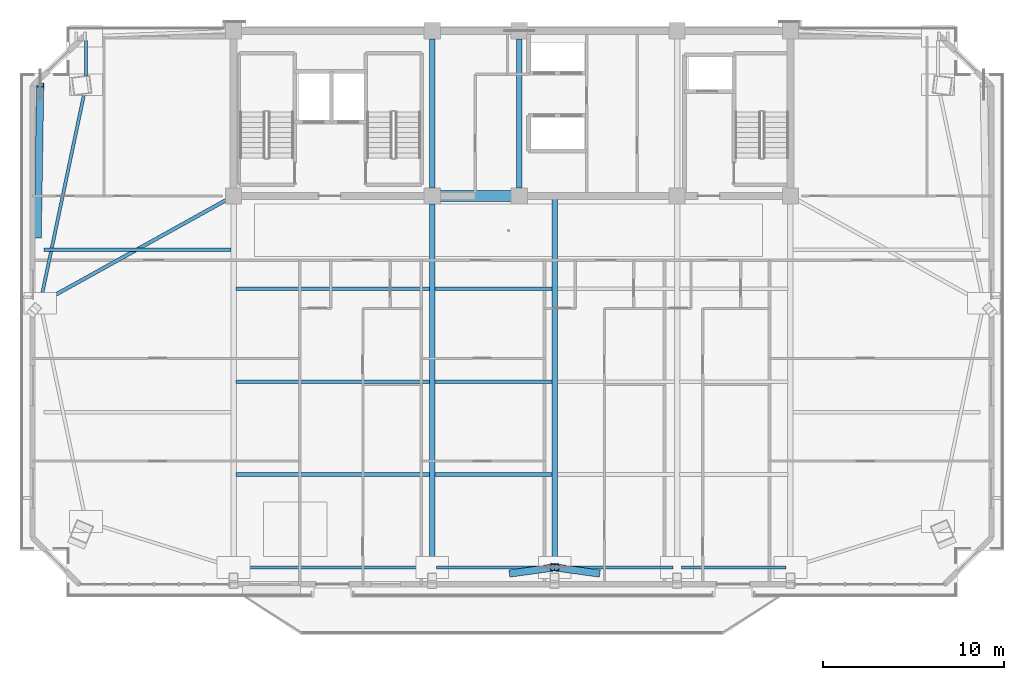
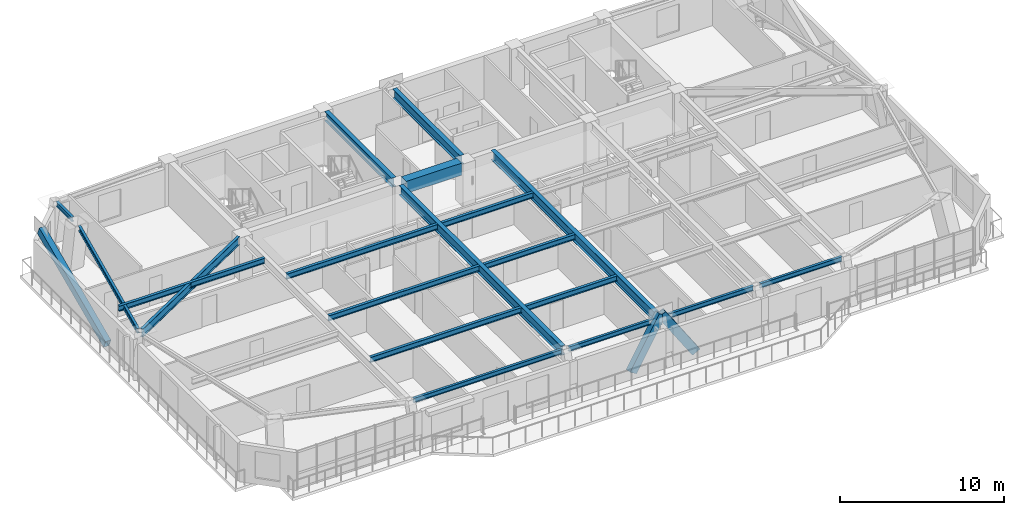
# One storey, part 3 of 18: 19 beams, 3 members.
"""IFC4 building model written with IfcOpenShell, lengths in metres."""

from ifc_helpers import new_model, si_unit, direction, frame, origin, origin_2d, place, context, subcontext, project, spatial, rectangle, hollow_rectangle, i_section, extrude, source, transform, mapped, material, material_profile, profile_set, type_object, element, save


model = new_model("IFC4")

# Units and contexts
model_context = context("Model", 3, precision=1e-05, world=origin(), true_north=direction((0.0, 1.0)))
body_context = subcontext(model_context, "Body", "Model", "MODEL_VIEW")
ifc_project = project(units=[si_unit("LENGTHUNIT", "METRE"), si_unit("AREAUNIT", "SQUARE_METRE"), si_unit("VOLUMEUNIT", "CUBIC_METRE"), si_unit("PLANEANGLEUNIT", "RADIAN"), si_unit("MASSUNIT", "GRAM", prefix="KILO")], contexts=[model_context])

# Site, building, storey
site_placement = place(None, origin())
site = spatial("IfcSite", under=ifc_project, at=site_placement, CompositionType="ELEMENT")
building_placement = place(site_placement, origin())
building = spatial("IfcBuilding", under=site, at=building_placement, Name="Giltprow Tower", CompositionType="ELEMENT")
storey_placement = place(building_placement, frame((0.0, 0.0, 265.5)))
storey = spatial("IfcBuildingStorey", under=building, at=storey_placement, Name="L68", CompositionType="ELEMENT", Elevation=265.5)

# Beams
ifc_material_1 = material(Name="Structural steel Q355B", Category="steel")
ifc_material_profile_1 = material_profile(ifc_material_1, i_section(OverallWidth=0.199951171875, OverallDepth=0.39990234375, WebThickness=0.008056640625, FlangeThickness=0.012939453125, at=origin_2d()), Name="HN 400x200x8x13")
ifc_profile_set_1 = profile_set([ifc_material_profile_1], Name="Structural steel Q355B")
beam_type_1 = type_object("IfcBeamType", Name="BM-JOIST-HN400", PredefinedType="JOIST", material=ifc_profile_set_1)
shared_shape_1 = source(origin(), body_context, "Body", "SweptSolid", [
    extrude(i_section(OverallWidth=0.199951171875, OverallDepth=0.39990234375, WebThickness=0.008056640625, FlangeThickness=0.012939453125, at=origin_2d()), origin(), (0.0, 0.0, 1.0), 10.659912109375),
])
for number, where, z_axis, x_axis, name in (
    (1, (19.9951171875, 22.094970703125, 2.985107421875), (1.0, 0.0, 0.0), (0.0, 1.0, 0.0), "L68 Composite Floor Joist 1-1"),
    (2, (19.9951171875, 27.212890625, 2.985107421875), (1.0, 0.0, 0.0), (0.0, 1.0, 0.0), "L68 Composite Floor Joist 2-1"),
    (3, (19.9951171875, 32.33203125, 2.985107421875), (1.0, 0.0, 0.0), (0.0, 1.0, 0.0), "L68 Composite Floor Joist 3-1"),
):
    element("IfcBeam", number, at=place(storey_placement, frame(where, z_axis=z_axis, x_axis=x_axis)), inside=storey, type_object=beam_type_1, Name=name, PredefinedType="JOIST", context=body_context, shape_type="MappedRepresentation", body=[
        mapped(shared_shape_1, transform((0.0, 0.0, 0.0), x_axis=(1.0, 0.0, 0.0), y_axis=(0.0, 1.0, 0.0), z_axis=(0.0, 0.0, 1.0), scale=1.0)),
    ])
shared_shape_2 = source(origin(), body_context, "Body", "SweptSolid", [
    extrude(i_section(OverallWidth=0.199951171875, OverallDepth=0.39990234375, WebThickness=0.008056640625, FlangeThickness=0.012939453125, at=origin_2d()), origin(), (0.0, 0.0, 1.0), 6.4599609375),
])
for number, where, z_axis, x_axis, name in (
    (4, (30.945068359375, 22.094970703125, 2.985107421875), (1.0, 0.0, 0.0), (0.0, 1.0, 0.0), "L68 Composite Floor Joist 1-2"),
    (5, (30.945068359375, 27.212890625, 2.985107421875), (1.0, 0.0, 0.0), (0.0, 1.0, 0.0), "L68 Composite Floor Joist 2-2"),
    (6, (30.945068359375, 32.33203125, 2.985107421875), (1.0, 0.0, 0.0), (0.0, 1.0, 0.0), "L68 Composite Floor Joist 3-2"),
):
    element("IfcBeam", number, at=place(storey_placement, frame(where, z_axis=z_axis, x_axis=x_axis)), inside=storey, type_object=beam_type_1, Name=name, PredefinedType="JOIST", context=body_context, shape_type="MappedRepresentation", body=[
        mapped(shared_shape_2, transform((0.0, 0.0, 0.0), x_axis=(1.0, 0.0, 0.0), y_axis=(0.0, 1.0, 0.0), z_axis=(0.0, 0.0, 1.0), scale=1.0)),
    ])
ifc_material_profile_2 = material_profile(ifc_material_1, i_section(OverallWidth=0.175048828125, OverallDepth=0.35009765625, WebThickness=0.007080078125, FlangeThickness=0.010986328125, at=origin_2d()), Name="HN 350x175x7x11")
ifc_profile_set_2 = profile_set([ifc_material_profile_2], Name="Structural steel Q355B")
beam_type_2 = type_object("IfcBeamType", Name="BM-SPAN-HN350", PredefinedType="SPANDREL", material=ifc_profile_set_2)
shared_shape_3 = source(origin(), body_context, "Body", "SweptSolid", [
    extrude(i_section(OverallWidth=0.175048828125, OverallDepth=0.35009765625, WebThickness=0.007080078125, FlangeThickness=0.010986328125, at=origin_2d()), origin(), (0.0, 0.0, 1.0), 10.47998046875),
])
beam_1_placement = place(storey_placement, frame((20.0849609375, 16.97607421875, 3.010009765625), z_axis=(1.0, 0.0, 0.0), x_axis=(0.0, 1.0, 0.0)))
element("IfcBeam", 7, at=beam_1_placement, inside=storey, type_object=beam_type_2, Name="L68 Perimeter Spandrel Beam S1-S2", PredefinedType="SPANDREL", context=body_context, shape_type="MappedRepresentation", body=[
    mapped(shared_shape_3, transform((0.0, 0.0, 0.0), x_axis=(1.0, 0.0, 0.0), y_axis=(0.0, 1.0, 0.0), z_axis=(0.0, 0.0, 1.0), scale=1.0)),
])
shared_shape_4 = source(origin(), body_context, "Body", "SweptSolid", [
    extrude(i_section(OverallWidth=0.175048828125, OverallDepth=0.35009765625, WebThickness=0.007080078125, FlangeThickness=0.010986328125, at=origin_2d()), origin(), (0.0, 0.0, 1.0), 6.280029296875),
])
for number, where, z_axis, x_axis, name in (
    (8, (31.034912109375, 16.97607421875, 3.010009765625), (1.0, 0.0, 0.0), (0.0, 1.0, 0.0), "L68 Perimeter Spandrel Beam S2-S_MID"),
    (9, (37.784912109375, 16.97607421875, 3.010009765625), (1.0, 0.0, 0.0), (0.0, 1.0, 0.0), "L68 Perimeter Spandrel Beam S_MID-S3"),
):
    element("IfcBeam", number, at=place(storey_placement, frame(where, z_axis=z_axis, x_axis=x_axis)), inside=storey, type_object=beam_type_2, Name=name, PredefinedType="SPANDREL", context=body_context, shape_type="MappedRepresentation", body=[
        mapped(shared_shape_4, transform((0.0, 0.0, 0.0), x_axis=(1.0, 0.0, 0.0), y_axis=(0.0, 1.0, 0.0), z_axis=(0.0, 0.0, 1.0), scale=1.0)),
    ])
shared_shape_5 = source(origin(), body_context, "Body", "SweptSolid", [
    extrude(i_section(OverallWidth=0.175048828125, OverallDepth=0.35009765625, WebThickness=0.007080078125, FlangeThickness=0.010986328125, at=origin_2d()), origin(), (0.0, 0.0, 1.0), 5.780029296875),
])
beam_2_placement = place(storey_placement, frame((44.534912109375, 16.97607421875, 3.010009765625), z_axis=(1.0, 0.0, 0.0), x_axis=(0.0, 1.0, 0.0)))
element("IfcBeam", 10, at=beam_2_placement, inside=storey, type_object=beam_type_2, Name="L68 Perimeter Spandrel Beam S3-S4", PredefinedType="SPANDREL", context=body_context, shape_type="MappedRepresentation", body=[
    mapped(shared_shape_5, transform((0.0, 0.0, 0.0), x_axis=(1.0, 0.0, 0.0), y_axis=(0.0, 1.0, 0.0), z_axis=(0.0, 0.0, 1.0), scale=1.0)),
])
ifc_material_2 = material(Name="Concrete C50", Category="concrete")
ifc_material_profile_3 = material_profile(ifc_material_2, rectangle(XDim=0.60009765625, YDim=0.89990234375, at=origin_2d()), Name="RC 900x600")
ifc_profile_set_3 = profile_set([ifc_material_profile_3], Name="Concrete C50")
beam_type_3 = type_object("IfcBeamType", Name="BM-CPL-RC900", PredefinedType="LINTEL", material=ifc_profile_set_3)
shared_shape_6 = source(origin(), body_context, "Body", "SweptSolid", [
    extrude(rectangle(XDim=0.60009765625, YDim=0.89990234375, at=origin_2d()), origin(), (0.0, 0.0, 1.0), 3.929931640625),
])
beam_3_placement = place(storey_placement, frame((31.235107421875, 37.449951171875, 2.735107421875), z_axis=(1.0, 0.0, 0.0), x_axis=(0.0, 1.0, 0.0)))
element("IfcBeam", 11, at=beam_3_placement, inside=storey, type_object=beam_type_3, Name="L68 Core Coupling Beam CB-1", PredefinedType="LINTEL", context=body_context, shape_type="MappedRepresentation", body=[
    mapped(shared_shape_6, transform((0.0, 0.0, 0.0), x_axis=(1.0, 0.0, 0.0), y_axis=(0.0, 1.0, 0.0), z_axis=(0.0, 0.0, 1.0), scale=1.0)),
])
ifc_material_profile_4 = material_profile(ifc_material_1, i_section(OverallWidth=0.300048828125, OverallDepth=0.699951171875, WebThickness=0.012939453125, FlangeThickness=0.02392578125, at=origin_2d()), Name="HN 700x300x13x24")
ifc_profile_set_4 = profile_set([ifc_material_profile_4], Name="Structural steel Q355B")
beam_type_4 = type_object("IfcBeamType", Name="BM-GIRD-HN700", PredefinedType="BEAM", material=ifc_profile_set_4)
shared_shape_7 = source(origin(), body_context, "Body", "SweptSolid", [
    extrude(i_section(OverallWidth=0.300048828125, OverallDepth=0.699951171875, WebThickness=0.012939453125, FlangeThickness=0.02392578125, at=origin_2d()), origin(), (0.0, 0.0, 1.0), 8.22998046875),
])
for number, where, z_axis, x_axis, name in (
    (12, (30.800048828125, 37.885009765625, 2.8349609375), (0.0, 1.0, 0.0), (-1.0, 0.0, 0.0), "L68 Core Tie Girder M1"),
    (13, (35.60009765625, 37.885009765625, 2.8349609375), (0.0, 1.0, 0.0), (-1.0, 0.0, 0.0), "L68 Core Tie Girder M2"),
):
    element("IfcBeam", number, at=place(storey_placement, frame(where, z_axis=z_axis, x_axis=x_axis)), inside=storey, type_object=beam_type_4, Name=name, PredefinedType="BEAM", context=body_context, shape_type="MappedRepresentation", body=[
        mapped(shared_shape_7, transform((0.0, 0.0, 0.0), x_axis=(1.0, 0.0, 0.0), y_axis=(0.0, 1.0, 0.0), z_axis=(0.0, 0.0, 1.0), scale=1.0)),
    ])
shared_shape_8 = source(origin(), body_context, "Body", "SweptSolid", [
    extrude(i_section(OverallWidth=0.175048828125, OverallDepth=0.35009765625, WebThickness=0.007080078125, FlangeThickness=0.010986328125, at=origin_2d()), origin(), (0.0, 0.0, 1.0), 11.580322265625),
])
beam_4_placement = place(storey_placement, frame((11.617919921875, 43.10205078125, 3.010009765625), z_axis=(-0.205173152284, -0.978725690672, 0.0), x_axis=(0.978725690672, -0.205173152284, 0.0)))
element("IfcBeam", 14, at=beam_4_placement, inside=storey, type_object=beam_type_2, Name="L68 Perimeter Spandrel Beam MC_NW-W_MID", PredefinedType="SPANDREL", context=body_context, shape_type="MappedRepresentation", body=[
    mapped(shared_shape_8, transform((0.0, 0.0, 0.0), x_axis=(1.0, 0.0, 0.0), y_axis=(0.0, 1.0, 0.0), z_axis=(0.0, 0.0, 1.0), scale=1.0)),
])
shared_shape_9 = source(origin(), body_context, "Body", "SweptSolid", [
    extrude(i_section(OverallWidth=0.175048828125, OverallDepth=0.35009765625, WebThickness=0.007080078125, FlangeThickness=0.010986328125, at=origin_2d()), origin(), (0.0, 0.0, 1.0), 1.952880859375),
])
beam_5_placement = place(storey_placement, frame((11.717041015625, 46.014892578125, 3.010009765625), z_axis=(0.0, -1.0, 0.0), x_axis=(1.0, 0.0, 0.0)))
element("IfcBeam", 15, at=beam_5_placement, inside=storey, type_object=beam_type_2, Name="L68 Perimeter Spandrel Beam N_W-MC_NW", PredefinedType="SPANDREL", context=body_context, shape_type="MappedRepresentation", body=[
    mapped(shared_shape_9, transform((0.0, 0.0, 0.0), x_axis=(1.0, 0.0, 0.0), y_axis=(0.0, 1.0, 0.0), z_axis=(0.0, 0.0, 1.0), scale=1.0)),
])
shared_shape_10 = source(origin(), body_context, "Body", "SweptSolid", [
    extrude(i_section(OverallWidth=0.300048828125, OverallDepth=0.699951171875, WebThickness=0.012939453125, FlangeThickness=0.02392578125, at=origin_2d()), origin(), (0.0, 0.0, 1.0), 19.803955078125),
])
beam_6_placement = place(storey_placement, frame((30.800048828125, 17.2109375, 2.8349609375), z_axis=(0.0, 1.0, 0.0), x_axis=(-1.0, 0.0, 0.0)))
element("IfcBeam", 16, at=beam_6_placement, inside=storey, type_object=beam_type_4, Name="L68 Primary Lease Girder S2", PredefinedType="BEAM", context=body_context, shape_type="MappedRepresentation", body=[
    mapped(shared_shape_10, transform((0.0, 0.0, 0.0), x_axis=(1.0, 0.0, 0.0), y_axis=(0.0, 1.0, 0.0), z_axis=(0.0, 0.0, 1.0), scale=1.0)),
])
shared_shape_11 = source(origin(), body_context, "Body", "SweptSolid", [
    extrude(i_section(OverallWidth=0.300048828125, OverallDepth=0.699951171875, WebThickness=0.012939453125, FlangeThickness=0.02392578125, at=origin_2d()), origin(), (0.0, 0.0, 1.0), 20.473876953125),
])
beam_7_placement = place(storey_placement, frame((37.550048828125, 16.97607421875, 2.8349609375), z_axis=(0.0, 1.0, 0.0), x_axis=(-1.0, 0.0, 0.0)))
element("IfcBeam", 17, at=beam_7_placement, inside=storey, type_object=beam_type_4, Name="L68 Central Lease Girder SMID", PredefinedType="BEAM", context=body_context, shape_type="MappedRepresentation", body=[
    mapped(shared_shape_11, transform((0.0, 0.0, 0.0), x_axis=(1.0, 0.0, 0.0), y_axis=(0.0, 1.0, 0.0), z_axis=(0.0, 0.0, 1.0), scale=1.0)),
])
ifc_material_profile_5 = material_profile(ifc_material_1, i_section(OverallWidth=0.199951171875, OverallDepth=0.60009765625, WebThickness=0.010986328125, FlangeThickness=0.01708984375, at=origin_2d()), Name="HN 600x200x11x17")
ifc_profile_set_5 = profile_set([ifc_material_profile_5], Name="Structural steel Q355B")
beam_type_5 = type_object("IfcBeamType", Name="BM-GIRD-HN600", PredefinedType="BEAM", material=ifc_profile_set_5)
shared_shape_12 = source(origin(), body_context, "Body", "SweptSolid", [
    extrude(i_section(OverallWidth=0.199951171875, OverallDepth=0.60009765625, WebThickness=0.010986328125, FlangeThickness=0.01708984375, at=origin_2d()), origin(), (0.0, 0.0, 1.0), 11.516845703125),
])
beam_8_placement = place(storey_placement, frame((9.39892578125, 31.652099609375, 2.885009765625), z_axis=(0.874456088205, 0.48510467922, 0.0), x_axis=(-0.48510467922, 0.874456088205, 0.0)))
element("IfcBeam", 18, at=beam_8_placement, inside=storey, type_object=beam_type_5, Name="L68 West Wing Primary Girder", PredefinedType="BEAM", context=body_context, shape_type="MappedRepresentation", body=[
    mapped(shared_shape_12, transform((0.0, 0.0, 0.0), x_axis=(1.0, 0.0, 0.0), y_axis=(0.0, 1.0, 0.0), z_axis=(0.0, 0.0, 1.0), scale=1.0)),
])
shared_shape_13 = source(origin(), body_context, "Body", "SweptSolid", [
    extrude(i_section(OverallWidth=0.199951171875, OverallDepth=0.39990234375, WebThickness=0.008056640625, FlangeThickness=0.012939453125, at=origin_2d()), origin(), (0.0, 0.0, 1.0), 10.291015625),
])
beam_9_placement = place(storey_placement, frame((9.4140625, 34.493896484375, 2.985107421875), z_axis=(1.0, 0.0, 0.0), x_axis=(0.0, 1.0, 0.0)))
element("IfcBeam", 19, at=beam_9_placement, inside=storey, type_object=beam_type_1, Name="L68 West Wing Floor Joist 2", PredefinedType="JOIST", context=body_context, shape_type="MappedRepresentation", body=[
    mapped(shared_shape_13, transform((0.0, 0.0, 0.0), x_axis=(1.0, 0.0, 0.0), y_axis=(0.0, 1.0, 0.0), z_axis=(0.0, 0.0, 1.0), scale=1.0)),
])

# Members
ifc_material_3 = material(Name="Structural steel Q420GJC", Category="steel")
ifc_material_profile_6 = material_profile(ifc_material_3, hollow_rectangle(XDim=0.39990234375, YDim=0.60009765625, WallThickness=0.028076171875, at=origin_2d()), Name="RHS 600x400x28")
ifc_profile_set_6 = profile_set([ifc_material_profile_6], Name="Structural steel Q420GJC")
member_type = type_object("IfcMemberType", Name="MBR-MEGA-RHS600", PredefinedType="BRACE", material=ifc_profile_set_6)
shared_shape_14 = source(origin(), body_context, "Body", "SweptSolid", [
    extrude(hollow_rectangle(XDim=0.39990234375, YDim=0.60009765625, WallThickness=0.028076171875, at=origin_2d()), origin(), (0.0, 0.0, 1.0), 4.0888671875),
])
for number, where, z_axis, x_axis, name in (
    (20, (35.300048828125, 16.666015625, 0.0), (0.550288855758, 0.075831906121, 0.831523720192), (-0.13651372484, 0.990638179625, 0.0), "L68 Chevron Mega-Brace S-L"),
    (21, (39.800048828125, 16.666015625, 0.0), (-0.550288855758, 0.075831906121, 0.831523720192), (-0.13651372484, -0.990638179625, 0.0), "L68 Chevron Mega-Brace S-R"),
):
    element("IfcMember", number, at=place(storey_placement, frame(where, z_axis=z_axis, x_axis=x_axis)), inside=storey, type_object=member_type, Name=name, PredefinedType="BRACE", context=body_context, shape_type="MappedRepresentation", body=[
        mapped(shared_shape_14, transform((0.0, 0.0, 0.0), x_axis=(1.0, 0.0, 0.0), y_axis=(0.0, 1.0, 0.0), z_axis=(0.0, 0.0, 1.0), scale=1.0)),
    ])
shared_shape_15 = source(origin(), body_context, "Body", "SweptSolid", [
    extrude(hollow_rectangle(XDim=0.39990234375, YDim=0.60009765625, WallThickness=0.028076171875, at=origin_2d()), origin(), (0.0, 0.0, 1.0), 8.98974609375),
])
member_placement = place(storey_placement, frame((9.055908203125, 35.256103515625, 0.0), z_axis=(0.015371376553, 0.925595858071, 0.378201042178), x_axis=(-0.999862132182, 0.016604717059, 0.0)))
element("IfcMember", 22, at=member_placement, inside=storey, type_object=member_type, Name="L68 Chevron Mega-Brace W-D", PredefinedType="BRACE", context=body_context, shape_type="MappedRepresentation", body=[
    mapped(shared_shape_15, transform((0.0, 0.0, 0.0), x_axis=(1.0, 0.0, 0.0), y_axis=(0.0, 1.0, 0.0), z_axis=(0.0, 0.0, 1.0), scale=1.0)),
])

save(model, "model.ifc")
